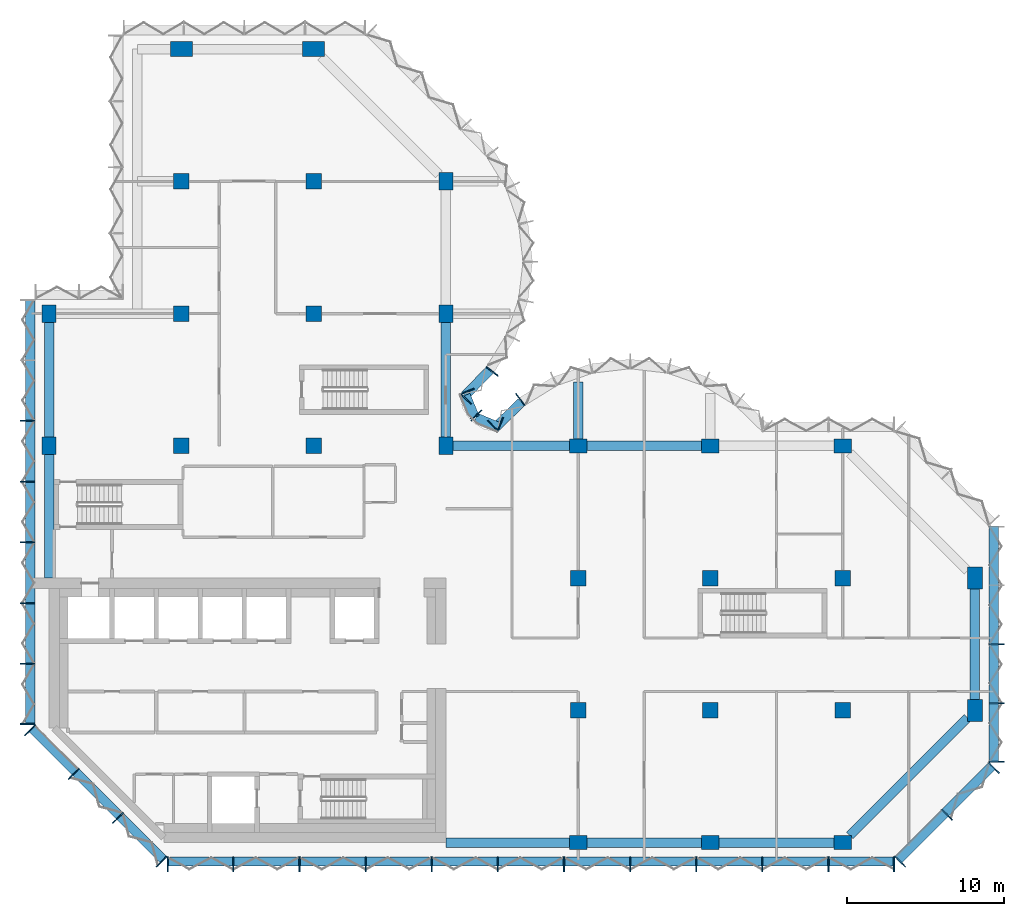
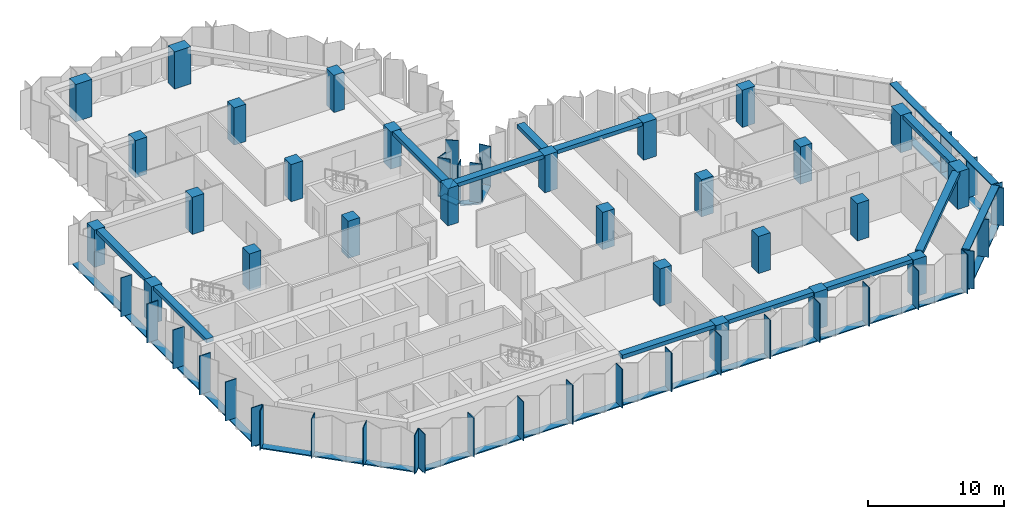
# One storey, part 1 of 10: 46 members, 27 columns, 11 beams, 8 elements without a shape of their own.
"""IFC4 building model written with IfcOpenShell, lengths in metres."""

from ifc_helpers import new_model, si_unit, direction, frame, origin, origin_2d, place, context, subcontext, project, spatial, rectangle, extrude, material, material_profile, profile_set, type_object, element, aggregate, save


model = new_model("IFC4")

# Units and contexts
model_context = context("Model", 3, precision=1e-05, world=origin(), true_north=direction((0.0, 1.0)))
body_context = subcontext(model_context, "Body", "Model", "MODEL_VIEW")
ifc_project = project(units=[si_unit("LENGTHUNIT", "METRE"), si_unit("AREAUNIT", "SQUARE_METRE"), si_unit("VOLUMEUNIT", "CUBIC_METRE"), si_unit("PLANEANGLEUNIT", "RADIAN"), si_unit("MASSUNIT", "GRAM", prefix="KILO")], contexts=[model_context])

# Site, building, storey
site_placement = place(None, origin())
site = spatial("IfcSite", under=ifc_project, at=site_placement, CompositionType="ELEMENT")
building_placement = place(site_placement, origin())
building = spatial("IfcBuilding", under=site, at=building_placement, Name="Brevane Broadcast Tower", CompositionType="ELEMENT")
storey_placement = place(building_placement, frame((0.0, 0.0, 181.199951171875)))
storey = spatial("IfcBuildingStorey", under=building, at=storey_placement, Name="L45", CompositionType="ELEMENT", Elevation=181.199951171875)

# Columns
ifc_material_1 = material(Name="Concrete C60/75", Category="concrete")
ifc_material_profile_1 = material_profile(ifc_material_1, rectangle(XDim=0.89990234375, YDim=1.10009765625, at=origin_2d()), Name="RC 900x1100")
ifc_profile_set_1 = profile_set([ifc_material_profile_1], Name="Concrete C60/75")
column_type_1 = type_object("IfcColumnType", Name="RC COLUMN EDGE 900x1100 C60/75", PredefinedType="COLUMN", material=ifc_profile_set_1)
for number, where, z_axis, x_axis, name in (
    (1, (0.0, 25.199951171875, 0.0), (0.0, 0.0, 1.0), (1.0, 0.0, 0.0), "CE11 1/D"),
    (2, (0.0, 33.60009765625, 0.0), (0.0, 0.0, 1.0), (1.0, 0.0, 0.0), "CE11 1/E"),
    (3, (25.199951171875, 25.199951171875, 0.0), (0.0, 0.0, 1.0), (1.0, 0.0, 0.0), "CE11 4/D"),
    (4, (25.199951171875, 33.60009765625, 0.0), (0.0, 0.0, 1.0), (1.0, 0.0, 0.0), "CE11 4/E"),
    (5, (25.199951171875, 42.0, 0.0), (0.0, 0.0, 1.0), (1.0, 0.0, 0.0), "CE11 4/F"),
    (6, (33.60009765625, 0.0, 0.0), (0.0, 0.0, 1.0), (0.0, 1.0, 0.0), "CE11 5/A"),
    (7, (33.60009765625, 25.199951171875, 0.0), (0.0, 0.0, 1.0), (0.0, 1.0, 0.0), "CE11 5/D"),
    (8, (42.0, 0.0, 0.0), (0.0, 0.0, 1.0), (0.0, 1.0, 0.0), "CE11 6/A"),
    (9, (42.0, 25.199951171875, 0.0), (0.0, 0.0, 1.0), (0.0, 1.0, 0.0), "CE11 6/D"),
    (10, (50.39990234375, 0.0, 0.0), (0.0, 0.0, 1.0), (0.0, 1.0, 0.0), "CE11 7/A"),
    (11, (50.39990234375, 25.199951171875, 0.0), (0.0, 0.0, 1.0), (0.0, 1.0, 0.0), "CE11 7/D"),
):
    element("IfcColumn", number, at=place(storey_placement, frame(where, z_axis=z_axis, x_axis=x_axis)), inside=storey, type_object=column_type_1, Name=name, PredefinedType="COLUMN", context=body_context, shape_type="SweptSolid", body=[
        extrude(rectangle(XDim=0.89990234375, YDim=1.10009765625, at=origin_2d()), origin(), (0.0, 0.0, 1.0), 3.35009765625),
    ])
ifc_material_profile_2 = material_profile(ifc_material_1, rectangle(XDim=1.0, YDim=1.0, at=origin_2d()), Name="RC 1000x1000")
ifc_profile_set_2 = profile_set([ifc_material_profile_2], Name="Concrete C60/75")
column_type_2 = type_object("IfcColumnType", Name="RC COLUMN INTERIOR 1000x1000 C60/75", PredefinedType="COLUMN", material=ifc_profile_set_2)
for number, where, z_axis, x_axis, name in (
    (12, (8.39990234375, 25.199951171875, 0.0), (0.0, 0.0, 1.0), (1.0, 0.0, 0.0), "CI12 2/D"),
    (13, (8.39990234375, 33.60009765625, 0.0), (0.0, 0.0, 1.0), (1.0, 0.0, 0.0), "CI12 2/E"),
    (14, (8.39990234375, 42.0, 0.0), (0.0, 0.0, 1.0), (1.0, 0.0, 0.0), "CI12 2/F"),
    (15, (16.800048828125, 25.199951171875, 0.0), (0.0, 0.0, 1.0), (1.0, 0.0, 0.0), "CI12 3/D"),
    (16, (16.800048828125, 33.60009765625, 0.0), (0.0, 0.0, 1.0), (1.0, 0.0, 0.0), "CI12 3/E"),
    (17, (16.800048828125, 42.0, 0.0), (0.0, 0.0, 1.0), (1.0, 0.0, 0.0), "CI12 3/F"),
    (18, (33.60009765625, 8.39990234375, 0.0), (0.0, 0.0, 1.0), (1.0, 0.0, 0.0), "CI12 5/B"),
    (19, (33.60009765625, 16.800048828125, 0.0), (0.0, 0.0, 1.0), (1.0, 0.0, 0.0), "CI12 5/C"),
    (20, (42.0, 8.39990234375, 0.0), (0.0, 0.0, 1.0), (1.0, 0.0, 0.0), "CI12 6/B"),
    (21, (42.0, 16.800048828125, 0.0), (0.0, 0.0, 1.0), (1.0, 0.0, 0.0), "CI12 6/C"),
    (22, (50.39990234375, 8.39990234375, 0.0), (0.0, 0.0, 1.0), (1.0, 0.0, 0.0), "CI12 7/B"),
    (23, (50.39990234375, 16.800048828125, 0.0), (0.0, 0.0, 1.0), (1.0, 0.0, 0.0), "CI12 7/C"),
):
    element("IfcColumn", number, at=place(storey_placement, frame(where, z_axis=z_axis, x_axis=x_axis)), inside=storey, type_object=column_type_2, Name=name, PredefinedType="COLUMN", context=body_context, shape_type="SweptSolid", body=[
        extrude(rectangle(XDim=1.0, YDim=1.0, at=origin_2d()), origin(), (0.0, 0.0, 1.0), 3.35009765625),
    ])
ifc_material_profile_3 = material_profile(ifc_material_1, rectangle(XDim=0.949951171875, YDim=1.39990234375, at=origin_2d()), Name="RC 950x1400")
ifc_profile_set_3 = profile_set([ifc_material_profile_3], Name="Concrete C60/75")
column_type_3 = type_object("IfcColumnType", Name="RC COLUMN WING-END 950x1400 C60/75", PredefinedType="COLUMN", material=ifc_profile_set_3)
for number, where, z_axis, x_axis, name in (
    (24, (8.39990234375, 50.39990234375, 0.0), (0.0, 0.0, 1.0), (0.0, 1.0, 0.0), "CW13 2/G"),
    (25, (16.800048828125, 50.39990234375, 0.0), (0.0, 0.0, 1.0), (0.0, 1.0, 0.0), "CW13 3/G"),
    (26, (58.800048828125, 8.39990234375, 0.0), (0.0, 0.0, 1.0), (1.0, 0.0, 0.0), "CW13 8/B"),
    (27, (58.800048828125, 16.800048828125, 0.0), (0.0, 0.0, 1.0), (1.0, 0.0, 0.0), "CW13 8/C"),
):
    element("IfcColumn", number, at=place(storey_placement, frame(where, z_axis=z_axis, x_axis=x_axis)), inside=storey, type_object=column_type_3, Name=name, PredefinedType="COLUMN", context=body_context, shape_type="SweptSolid", body=[
        extrude(rectangle(XDim=0.949951171875, YDim=1.39990234375, at=origin_2d()), origin(), (0.0, 0.0, 1.0), 3.35009765625),
    ])

# Curtain wall, members
ifc_material_2 = material(Name="Aluminium 6063-T6 bronze anodised", Category="aluminium")
curtain_wall_type = type_object("IfcCurtainWallType", Name="CW-1 curtain wall", PredefinedType="NOTDEFINED", material=ifc_material_2)
curtain_wall_1_placement = place(storey_placement, origin())
curtain_wall_1 = element("IfcCurtainWall", 28, at=curtain_wall_1_placement, inside=storey, type_object=curtain_wall_type, Name="CW-1 typical tilted unit L45 south face", PredefinedType="NOTDEFINED")
ifc_material_profile_4 = material_profile(ifc_material_2, rectangle(XDim=0.949951171875, YDim=0.070068359375, at=origin_2d()), Name="RECT 70x950")
ifc_profile_set_4 = profile_set([ifc_material_profile_4], Name="Aluminium 6063-T6 bronze anodised")
member_type_1 = type_object("IfcMemberType", Name="CW-1 mullion 70x950", PredefinedType="MULLION", material=ifc_profile_set_4)
member_1_placement = place(storey_placement, frame((7.534912109375, -1.375, -0.14990234375), z_axis=(0.0, 0.0, 1.0), x_axis=(0.0, 1.0, 0.0)))
member_1 = element("IfcMember", 29, at=member_1_placement, type_object=member_type_1, Name="CW-1 mullion", PredefinedType="MULLION", context=body_context, shape_type="SweptSolid", body=[
    extrude(rectangle(XDim=0.949951171875, YDim=0.070068359375, at=origin_2d()), origin(), (0.0, 0.0, 1.0), 3.5),
])
member_2_placement = place(storey_placement, frame((11.699951171875, -1.375, -0.14990234375), z_axis=(0.0, 0.0, 1.0), x_axis=(0.0, 1.0, 0.0)))
member_2 = element("IfcMember", 30, at=member_2_placement, type_object=member_type_1, Name="CW-1 mullion", PredefinedType="MULLION", context=body_context, shape_type="SweptSolid", body=[
    extrude(rectangle(XDim=0.949951171875, YDim=0.070068359375, at=origin_2d()), origin(), (0.0, 0.0, 1.0), 3.5),
])
member_3_placement = place(storey_placement, frame((15.89990234375, -1.375, -0.14990234375), z_axis=(0.0, 0.0, 1.0), x_axis=(0.0, 1.0, 0.0)))
member_3 = element("IfcMember", 31, at=member_3_placement, type_object=member_type_1, Name="CW-1 mullion", PredefinedType="MULLION", context=body_context, shape_type="SweptSolid", body=[
    extrude(rectangle(XDim=0.949951171875, YDim=0.070068359375, at=origin_2d()), origin(), (0.0, 0.0, 1.0), 3.5),
])
member_4_placement = place(storey_placement, frame((20.10009765625, -1.375, -0.14990234375), z_axis=(0.0, 0.0, 1.0), x_axis=(0.0, 1.0, 0.0)))
member_4 = element("IfcMember", 32, at=member_4_placement, type_object=member_type_1, Name="CW-1 mullion", PredefinedType="MULLION", context=body_context, shape_type="SweptSolid", body=[
    extrude(rectangle(XDim=0.949951171875, YDim=0.070068359375, at=origin_2d()), origin(), (0.0, 0.0, 1.0), 3.5),
])
member_5_placement = place(storey_placement, frame((24.300048828125, -1.375, -0.14990234375), z_axis=(0.0, 0.0, 1.0), x_axis=(0.0, 1.0, 0.0)))
member_5 = element("IfcMember", 33, at=member_5_placement, type_object=member_type_1, Name="CW-1 mullion", PredefinedType="MULLION", context=body_context, shape_type="SweptSolid", body=[
    extrude(rectangle(XDim=0.949951171875, YDim=0.070068359375, at=origin_2d()), origin(), (0.0, 0.0, 1.0), 3.5),
])
member_6_placement = place(storey_placement, frame((28.5, -1.375, -0.14990234375), z_axis=(0.0, 0.0, 1.0), x_axis=(0.0, 1.0, 0.0)))
member_6 = element("IfcMember", 34, at=member_6_placement, type_object=member_type_1, Name="CW-1 mullion", PredefinedType="MULLION", context=body_context, shape_type="SweptSolid", body=[
    extrude(rectangle(XDim=0.949951171875, YDim=0.070068359375, at=origin_2d()), origin(), (0.0, 0.0, 1.0), 3.5),
])
member_7_placement = place(storey_placement, frame((32.699951171875, -1.375, -0.14990234375), z_axis=(0.0, 0.0, 1.0), x_axis=(0.0, 1.0, 0.0)))
member_7 = element("IfcMember", 35, at=member_7_placement, type_object=member_type_1, Name="CW-1 mullion", PredefinedType="MULLION", context=body_context, shape_type="SweptSolid", body=[
    extrude(rectangle(XDim=0.949951171875, YDim=0.070068359375, at=origin_2d()), origin(), (0.0, 0.0, 1.0), 3.5),
])
member_8_placement = place(storey_placement, frame((36.89990234375, -1.375, -0.14990234375), z_axis=(0.0, 0.0, 1.0), x_axis=(0.0, 1.0, 0.0)))
member_8 = element("IfcMember", 36, at=member_8_placement, type_object=member_type_1, Name="CW-1 mullion", PredefinedType="MULLION", context=body_context, shape_type="SweptSolid", body=[
    extrude(rectangle(XDim=0.949951171875, YDim=0.070068359375, at=origin_2d()), origin(), (0.0, 0.0, 1.0), 3.5),
])
member_9_placement = place(storey_placement, frame((41.10009765625, -1.375, -0.14990234375), z_axis=(0.0, 0.0, 1.0), x_axis=(0.0, 1.0, 0.0)))
member_9 = element("IfcMember", 37, at=member_9_placement, type_object=member_type_1, Name="CW-1 mullion", PredefinedType="MULLION", context=body_context, shape_type="SweptSolid", body=[
    extrude(rectangle(XDim=0.949951171875, YDim=0.070068359375, at=origin_2d()), origin(), (0.0, 0.0, 1.0), 3.5),
])
member_10_placement = place(storey_placement, frame((45.300048828125, -1.375, -0.14990234375), z_axis=(0.0, 0.0, 1.0), x_axis=(0.0, 1.0, 0.0)))
member_10 = element("IfcMember", 38, at=member_10_placement, type_object=member_type_1, Name="CW-1 mullion", PredefinedType="MULLION", context=body_context, shape_type="SweptSolid", body=[
    extrude(rectangle(XDim=0.949951171875, YDim=0.070068359375, at=origin_2d()), origin(), (0.0, 0.0, 1.0), 3.5),
])
member_11_placement = place(storey_placement, frame((49.5, -1.375, -0.14990234375), z_axis=(0.0, 0.0, 1.0), x_axis=(0.0, 1.0, 0.0)))
member_11 = element("IfcMember", 39, at=member_11_placement, type_object=member_type_1, Name="CW-1 mullion", PredefinedType="MULLION", context=body_context, shape_type="SweptSolid", body=[
    extrude(rectangle(XDim=0.949951171875, YDim=0.070068359375, at=origin_2d()), origin(), (0.0, 0.0, 1.0), 3.5),
])
member_12_placement = place(storey_placement, frame((53.6650390625, -1.375, -0.14990234375), z_axis=(0.0, 0.0, 1.0), x_axis=(0.0, 1.0, 0.0)))
member_12 = element("IfcMember", 40, at=member_12_placement, type_object=member_type_1, Name="CW-1 mullion", PredefinedType="MULLION", context=body_context, shape_type="SweptSolid", body=[
    extrude(rectangle(XDim=0.949951171875, YDim=0.070068359375, at=origin_2d()), origin(), (0.0, 0.0, 1.0), 3.5),
])

curtain_wall_2_placement = place(storey_placement, origin())
curtain_wall_2 = element("IfcCurtainWall", 41, at=curtain_wall_2_placement, inside=storey, type_object=curtain_wall_type, Name="CW-1 typical tilted unit L45 south-east chamfer", PredefinedType="NOTDEFINED")
member_13_placement = place(storey_placement, frame((54.060546875, -1.211181640625, -0.14990234375), z_axis=(0.0, 0.0, 1.0), x_axis=(-0.707106781187, 0.707106781187, 0.0)))
member_13 = element("IfcMember", 42, at=member_13_placement, type_object=member_type_1, Name="CW-1 mullion", PredefinedType="MULLION", context=body_context, shape_type="SweptSolid", body=[
    extrude(rectangle(XDim=0.949951171875, YDim=0.070068359375, at=origin_2d()), origin(), (0.0, 0.0, 1.0), 3.39990234375),
])
member_14_placement = place(storey_placement, frame((57.035888671875, 1.76416015625, -0.14990234375), z_axis=(0.0, 0.0, 1.0), x_axis=(-0.707106781187, 0.707106781187, 0.0)))
member_14 = element("IfcMember", 43, at=member_14_placement, type_object=member_type_1, Name="CW-1 mullion", PredefinedType="MULLION", context=body_context, shape_type="SweptSolid", body=[
    extrude(rectangle(XDim=0.949951171875, YDim=0.070068359375, at=origin_2d()), origin(), (0.0, 0.0, 1.0), 3.39990234375),
])
member_15_placement = place(storey_placement, frame((60.01123046875, 4.7392578125, -0.14990234375), z_axis=(0.0, 0.0, 1.0), x_axis=(-0.707106781187, 0.707106781187, 0.0)))
member_15 = element("IfcMember", 44, at=member_15_placement, type_object=member_type_1, Name="CW-1 mullion", PredefinedType="MULLION", context=body_context, shape_type="SweptSolid", body=[
    extrude(rectangle(XDim=0.949951171875, YDim=0.070068359375, at=origin_2d()), origin(), (0.0, 0.0, 1.0), 3.39990234375),
])

curtain_wall_3_placement = place(storey_placement, origin())
curtain_wall_3 = element("IfcCurtainWall", 45, at=curtain_wall_3_placement, inside=storey, type_object=curtain_wall_type, Name="CW-1 typical tilted unit L45 east end", PredefinedType="NOTDEFINED")
member_16_placement = place(storey_placement, frame((60.175048828125, 5.135009765625, -0.14990234375), z_axis=(0.0, 0.0, 1.0), x_axis=(-1.0, 0.0, 0.0)))
member_16 = element("IfcMember", 46, at=member_16_placement, type_object=member_type_1, Name="CW-1 mullion", PredefinedType="MULLION", context=body_context, shape_type="SweptSolid", body=[
    extrude(rectangle(XDim=0.949951171875, YDim=0.070068359375, at=origin_2d()), origin(), (0.0, 0.0, 1.0), 3.39990234375),
])
member_17_placement = place(storey_placement, frame((60.175048828125, 8.85009765625, -0.14990234375), z_axis=(0.0, 0.0, 1.0), x_axis=(-1.0, 0.0, 0.0)))
member_17 = element("IfcMember", 47, at=member_17_placement, type_object=member_type_1, Name="CW-1 mullion", PredefinedType="MULLION", context=body_context, shape_type="SweptSolid", body=[
    extrude(rectangle(XDim=0.949951171875, YDim=0.070068359375, at=origin_2d()), origin(), (0.0, 0.0, 1.0), 3.39990234375),
])
member_18_placement = place(storey_placement, frame((60.175048828125, 12.60009765625, -0.14990234375), z_axis=(0.0, 0.0, 1.0), x_axis=(-1.0, 0.0, 0.0)))
member_18 = element("IfcMember", 48, at=member_18_placement, type_object=member_type_1, Name="CW-1 mullion", PredefinedType="MULLION", context=body_context, shape_type="SweptSolid", body=[
    extrude(rectangle(XDim=0.949951171875, YDim=0.070068359375, at=origin_2d()), origin(), (0.0, 0.0, 1.0), 3.39990234375),
])

curtain_wall_4_placement = place(storey_placement, origin())
curtain_wall_4 = element("IfcCurtainWall", 49, at=curtain_wall_4_placement, inside=storey, type_object=curtain_wall_type, Name="CW-1 typical tilted unit L45 east bow", PredefinedType="NOTDEFINED")
member_19_placement = place(storey_placement, frame((29.927978515625, 28.1455078125, -0.14990234375), z_axis=(0.0, 0.0, 1.0), x_axis=(0.614769698862, -0.788706673841, 0.0)))
member_19 = element("IfcMember", 50, at=member_19_placement, type_object=member_type_1, Name="CW-1 mullion", PredefinedType="MULLION", context=body_context, shape_type="SweptSolid", body=[
    extrude(rectangle(XDim=0.949951171875, YDim=0.070068359375, at=origin_2d()), origin(), (0.0, 0.0, 1.0), 3.5),
])
member_20_placement = place(storey_placement, frame((28.194091796875, 26.465087890625, -0.14990234375), z_axis=(0.0, 0.0, 1.0), x_axis=(0.696812089895, -0.717253728729, 0.0)))
member_20 = element("IfcMember", 51, at=member_20_placement, type_object=member_type_1, Name="CW-1 mullion", PredefinedType="MULLION", context=body_context, shape_type="SweptSolid", body=[
    extrude(rectangle(XDim=0.949951171875, YDim=0.070068359375, at=origin_2d()), origin(), (0.0, 0.0, 1.0), 3.5),
])

curtain_wall_5_placement = place(storey_placement, origin())
curtain_wall_5 = element("IfcCurtainWall", 52, at=curtain_wall_5_placement, inside=storey, type_object=curtain_wall_type, Name="CW-1 typical tilted unit L45 inner corner", PredefinedType="NOTDEFINED")
member_21_placement = place(storey_placement, frame((28.6494140625, 26.55224609375, -0.14990234375), z_axis=(0.0, 0.0, 1.0), x_axis=(-0.382683432365, -0.923879532511, 0.0)))
member_21 = element("IfcMember", 53, at=member_21_placement, type_object=member_type_1, Name="CW-1 mullion", PredefinedType="MULLION", context=body_context, shape_type="SweptSolid", body=[
    extrude(rectangle(XDim=0.949951171875, YDim=0.070068359375, at=origin_2d()), origin(), (0.0, 0.0, 1.0), 3.5),
])
member_22_placement = place(storey_placement, frame((27.138916015625, 27.138916015625, -0.14990234375), z_axis=(0.0, 0.0, 1.0), x_axis=(-0.707106781187, -0.707106781187, 0.0)))
member_22 = element("IfcMember", 54, at=member_22_placement, type_object=member_type_1, Name="CW-1 mullion", PredefinedType="MULLION", context=body_context, shape_type="SweptSolid", body=[
    extrude(rectangle(XDim=0.949951171875, YDim=0.070068359375, at=origin_2d()), origin(), (0.0, 0.0, 1.0), 3.5),
])
member_23_placement = place(storey_placement, frame((26.55224609375, 28.6494140625, -0.14990234375), z_axis=(0.0, 0.0, 1.0), x_axis=(-0.923879532511, -0.382683432365, 0.0)))
member_23 = element("IfcMember", 55, at=member_23_placement, type_object=member_type_1, Name="CW-1 mullion", PredefinedType="MULLION", context=body_context, shape_type="SweptSolid", body=[
    extrude(rectangle(XDim=0.949951171875, YDim=0.070068359375, at=origin_2d()), origin(), (0.0, 0.0, 1.0), 3.5),
])

curtain_wall_6_placement = place(storey_placement, origin())
curtain_wall_6 = element("IfcCurtainWall", 56, at=curtain_wall_6_placement, inside=storey, type_object=curtain_wall_type, Name="CW-1 typical tilted unit L45 north bow", PredefinedType="NOTDEFINED")
member_24_placement = place(storey_placement, frame((26.465087890625, 28.194091796875, -0.14990234375), z_axis=(0.0, 0.0, 1.0), x_axis=(-0.717253728729, 0.696812089895, 0.0)))
member_24 = element("IfcMember", 57, at=member_24_placement, type_object=member_type_1, Name="CW-1 mullion", PredefinedType="MULLION", context=body_context, shape_type="SweptSolid", body=[
    extrude(rectangle(XDim=0.949951171875, YDim=0.070068359375, at=origin_2d()), origin(), (0.0, 0.0, 1.0), 3.5),
])
member_25_placement = place(storey_placement, frame((28.1455078125, 29.927978515625, -0.14990234375), z_axis=(0.0, 0.0, 1.0), x_axis=(-0.788706673841, 0.614769698862, 0.0)))
member_25 = element("IfcMember", 58, at=member_25_placement, type_object=member_type_1, Name="CW-1 mullion", PredefinedType="MULLION", context=body_context, shape_type="SweptSolid", body=[
    extrude(rectangle(XDim=0.949951171875, YDim=0.070068359375, at=origin_2d()), origin(), (0.0, 0.0, 1.0), 3.5),
])

curtain_wall_7_placement = place(storey_placement, origin())
curtain_wall_7 = element("IfcCurtainWall", 59, at=curtain_wall_7_placement, inside=storey, type_object=curtain_wall_type, Name="CW-1 typical tilted unit L45 west face", PredefinedType="NOTDEFINED")
member_26_placement = place(storey_placement, frame((-1.375, 26.78564453125, -0.14990234375), z_axis=(0.0, 0.0, 1.0), x_axis=(1.0, 0.0, 0.0)))
member_26 = element("IfcMember", 60, at=member_26_placement, type_object=member_type_1, Name="CW-1 mullion", PredefinedType="MULLION", context=body_context, shape_type="SweptSolid", body=[
    extrude(rectangle(XDim=0.949951171875, YDim=0.070068359375, at=origin_2d()), origin(), (0.0, 0.0, 1.0), 3.5),
])
member_27_placement = place(storey_placement, frame((-1.375, 22.928466796875, -0.14990234375), z_axis=(0.0, 0.0, 1.0), x_axis=(1.0, 0.0, 0.0)))
member_27 = element("IfcMember", 61, at=member_27_placement, type_object=member_type_1, Name="CW-1 mullion", PredefinedType="MULLION", context=body_context, shape_type="SweptSolid", body=[
    extrude(rectangle(XDim=0.949951171875, YDim=0.070068359375, at=origin_2d()), origin(), (0.0, 0.0, 1.0), 3.5),
])
member_28_placement = place(storey_placement, frame((-1.375, 19.071533203125, -0.14990234375), z_axis=(0.0, 0.0, 1.0), x_axis=(1.0, 0.0, 0.0)))
member_28 = element("IfcMember", 62, at=member_28_placement, type_object=member_type_1, Name="CW-1 mullion", PredefinedType="MULLION", context=body_context, shape_type="SweptSolid", body=[
    extrude(rectangle(XDim=0.949951171875, YDim=0.070068359375, at=origin_2d()), origin(), (0.0, 0.0, 1.0), 3.5),
])
member_29_placement = place(storey_placement, frame((-1.375, 15.21435546875, -0.14990234375), z_axis=(0.0, 0.0, 1.0), x_axis=(1.0, 0.0, 0.0)))
member_29 = element("IfcMember", 63, at=member_29_placement, type_object=member_type_1, Name="CW-1 mullion", PredefinedType="MULLION", context=body_context, shape_type="SweptSolid", body=[
    extrude(rectangle(XDim=0.949951171875, YDim=0.070068359375, at=origin_2d()), origin(), (0.0, 0.0, 1.0), 3.5),
])
member_30_placement = place(storey_placement, frame((-1.375, 11.357177734375, -0.14990234375), z_axis=(0.0, 0.0, 1.0), x_axis=(1.0, 0.0, 0.0)))
member_30 = element("IfcMember", 64, at=member_30_placement, type_object=member_type_1, Name="CW-1 mullion", PredefinedType="MULLION", context=body_context, shape_type="SweptSolid", body=[
    extrude(rectangle(XDim=0.949951171875, YDim=0.070068359375, at=origin_2d()), origin(), (0.0, 0.0, 1.0), 3.5),
])
member_31_placement = place(storey_placement, frame((-1.375, 7.534912109375, -0.14990234375), z_axis=(0.0, 0.0, 1.0), x_axis=(1.0, 0.0, 0.0)))
member_31 = element("IfcMember", 65, at=member_31_placement, type_object=member_type_1, Name="CW-1 mullion", PredefinedType="MULLION", context=body_context, shape_type="SweptSolid", body=[
    extrude(rectangle(XDim=0.949951171875, YDim=0.070068359375, at=origin_2d()), origin(), (0.0, 0.0, 1.0), 3.5),
])

curtain_wall_8_placement = place(storey_placement, origin())
curtain_wall_8 = element("IfcCurtainWall", 66, at=curtain_wall_8_placement, inside=storey, type_object=curtain_wall_type, Name="CW-1 typical tilted unit L45 south-west chamfer", PredefinedType="NOTDEFINED")
member_32_placement = place(storey_placement, frame((-1.211181640625, 7.139404296875, -0.14990234375), z_axis=(0.0, 0.0, 1.0), x_axis=(0.707106781187, 0.707106781187, 0.0)))
member_32 = element("IfcMember", 67, at=member_32_placement, type_object=member_type_1, Name="CW-1 mullion", PredefinedType="MULLION", context=body_context, shape_type="SweptSolid", body=[
    extrude(rectangle(XDim=0.949951171875, YDim=0.070068359375, at=origin_2d()), origin(), (0.0, 0.0, 1.0), 3.5),
])
member_33_placement = place(storey_placement, frame((1.564208984375, 4.364013671875, -0.14990234375), z_axis=(0.0, 0.0, 1.0), x_axis=(0.707106781187, 0.707106781187, 0.0)))
member_33 = element("IfcMember", 68, at=member_33_placement, type_object=member_type_1, Name="CW-1 mullion", PredefinedType="MULLION", context=body_context, shape_type="SweptSolid", body=[
    extrude(rectangle(XDim=0.949951171875, YDim=0.070068359375, at=origin_2d()), origin(), (0.0, 0.0, 1.0), 3.5),
])
member_34_placement = place(storey_placement, frame((4.364013671875, 1.564208984375, -0.14990234375), z_axis=(0.0, 0.0, 1.0), x_axis=(0.707106781187, 0.707106781187, 0.0)))
member_34 = element("IfcMember", 69, at=member_34_placement, type_object=member_type_1, Name="CW-1 mullion", PredefinedType="MULLION", context=body_context, shape_type="SweptSolid", body=[
    extrude(rectangle(XDim=0.949951171875, YDim=0.070068359375, at=origin_2d()), origin(), (0.0, 0.0, 1.0), 3.5),
])
member_35_placement = place(storey_placement, frame((7.139404296875, -1.211181640625, -0.14990234375), z_axis=(0.0, 0.0, 1.0), x_axis=(0.707106781187, 0.707106781187, 0.0)))
member_35 = element("IfcMember", 70, at=member_35_placement, type_object=member_type_1, Name="CW-1 mullion", PredefinedType="MULLION", context=body_context, shape_type="SweptSolid", body=[
    extrude(rectangle(XDim=0.949951171875, YDim=0.070068359375, at=origin_2d()), origin(), (0.0, 0.0, 1.0), 3.5),
])

# Member
ifc_material_profile_5 = material_profile(ifc_material_2, rectangle(XDim=0.60009765625, YDim=0.10009765625, at=origin_2d()), Name="RECT 100x600")
ifc_profile_set_5 = profile_set([ifc_material_profile_5], Name="Aluminium 6063-T6 bronze anodised")
member_type_2 = type_object("IfcMemberType", Name="CW-1 transom 100x600", PredefinedType="USERDEFINED", material=ifc_profile_set_5)
member_36_placement = place(storey_placement, frame((7.5, -1.199951171875, -0.199951171875), z_axis=(1.0, 0.0, 0.0), x_axis=(0.0, 1.0, 0.0)))
member_36 = element("IfcMember", 71, at=member_36_placement, type_object=member_type_2, Name="CW-1 transom", ObjectType="TRANSOM", PredefinedType="USERDEFINED", context=body_context, shape_type="SweptSolid", body=[
    extrude(rectangle(XDim=0.60009765625, YDim=0.10009765625, at=origin_2d()), origin(), (0.0, 0.0, 1.0), 46.199951171875),
])

aggregate(curtain_wall_1, [member_1, member_2, member_3, member_4, member_5, member_6, member_7, member_8, member_9, member_10, member_11, member_12, member_36])

member_37_placement = place(storey_placement, frame((53.912109375, -1.112060546875, -0.199951171875), z_axis=(0.707106781187, 0.707106781187, 0.0), x_axis=(-0.707106781187, 0.707106781187, 0.0)))
member_37 = element("IfcMember", 72, at=member_37_placement, type_object=member_type_2, Name="CW-1 transom", ObjectType="TRANSOM", PredefinedType="USERDEFINED", context=body_context, shape_type="SweptSolid", body=[
    extrude(rectangle(XDim=0.60009765625, YDim=0.10009765625, at=origin_2d()), origin(), (0.0, 0.0, 1.0), 8.4853515625),
])

member_38_placement = place(storey_placement, frame((53.912109375, -1.112060546875, 3.300048828125), z_axis=(0.707106781187, 0.707106781187, 0.0), x_axis=(-0.707106781187, 0.707106781187, 0.0)))
member_38 = element("IfcMember", 73, at=member_38_placement, type_object=member_type_2, Name="CW-1 transom", ObjectType="TRANSOM", PredefinedType="USERDEFINED", context=body_context, shape_type="SweptSolid", body=[
    extrude(rectangle(XDim=0.60009765625, YDim=0.10009765625, at=origin_2d()), origin(), (0.0, 0.0, 1.0), 8.4853515625),
])

aggregate(curtain_wall_2, [member_13, member_14, member_15, member_37, member_38])

member_39_placement = place(storey_placement, frame((60.0, 5.10009765625, -0.199951171875), z_axis=(0.0, 1.0, 0.0), x_axis=(-1.0, 0.0, 0.0)))
member_39 = element("IfcMember", 74, at=member_39_placement, type_object=member_type_2, Name="CW-1 transom", ObjectType="TRANSOM", PredefinedType="USERDEFINED", context=body_context, shape_type="SweptSolid", body=[
    extrude(rectangle(XDim=0.60009765625, YDim=0.10009765625, at=origin_2d()), origin(), (0.0, 0.0, 1.0), 15.0),
])

member_40_placement = place(storey_placement, frame((60.0, 5.10009765625, 3.300048828125), z_axis=(0.0, 1.0, 0.0), x_axis=(-1.0, 0.0, 0.0)))
member_40 = element("IfcMember", 75, at=member_40_placement, type_object=member_type_2, Name="CW-1 transom", ObjectType="TRANSOM", PredefinedType="USERDEFINED", context=body_context, shape_type="SweptSolid", body=[
    extrude(rectangle(XDim=0.60009765625, YDim=0.10009765625, at=origin_2d()), origin(), (0.0, 0.0, 1.0), 15.0),
])

aggregate(curtain_wall_3, [member_16, member_17, member_18, member_39, member_40])

member_41_placement = place(storey_placement, frame((29.99951171875, 27.974365234375, -0.199951171875), z_axis=(-0.71724215871, -0.696823999134, 0.0), x_axis=(0.696823999134, -0.71724215871, 0.0)))
member_41 = element("IfcMember", 76, at=member_41_placement, type_object=member_type_2, Name="CW-1 transom", ObjectType="TRANSOM", PredefinedType="USERDEFINED", context=body_context, shape_type="SweptSolid", body=[
    extrude(rectangle(XDim=0.60009765625, YDim=0.10009765625, at=origin_2d()), origin(), (0.0, 0.0, 1.0), 2.247802734375),
])

aggregate(curtain_wall_4, [member_19, member_20, member_41])

member_42_placement = place(storey_placement, frame((28.528076171875, 26.40673828125, -0.199951171875), z_axis=(-0.923883243627, 0.382674472816, 0.0), x_axis=(-0.382674472816, -0.923883243627, 0.0)))
member_42 = element("IfcMember", 77, at=member_42_placement, type_object=member_type_2, Name="CW-1 transom", ObjectType="TRANSOM", PredefinedType="USERDEFINED", context=body_context, shape_type="SweptSolid", body=[
    extrude(rectangle(XDim=0.60009765625, YDim=0.10009765625, at=origin_2d()), origin(), (0.0, 0.0, 1.0), 1.536865234375),
])

member_43_placement = place(storey_placement, frame((27.039794921875, 27.0, -0.199951171875), z_axis=(-0.382674472816, 0.923883243627, 0.0), x_axis=(-0.923883243627, -0.382674472816, 0.0)))
member_43 = element("IfcMember", 78, at=member_43_placement, type_object=member_type_2, Name="CW-1 transom", ObjectType="TRANSOM", PredefinedType="USERDEFINED", context=body_context, shape_type="SweptSolid", body=[
    extrude(rectangle(XDim=0.60009765625, YDim=0.10009765625, at=origin_2d()), origin(), (0.0, 0.0, 1.0), 1.536865234375),
])

aggregate(curtain_wall_5, [member_21, member_22, member_23, member_42, member_43])

member_44_placement = place(storey_placement, frame((26.407958984375, 28.38720703125, -0.199951171875), z_axis=(0.696823999134, 0.71724215871, 0.0), x_axis=(-0.71724215871, 0.696823999134, 0.0)))
member_44 = element("IfcMember", 79, at=member_44_placement, type_object=member_type_2, Name="CW-1 transom", ObjectType="TRANSOM", PredefinedType="USERDEFINED", context=body_context, shape_type="SweptSolid", body=[
    extrude(rectangle(XDim=0.60009765625, YDim=0.10009765625, at=origin_2d()), origin(), (0.0, 0.0, 1.0), 2.247802734375),
])

aggregate(curtain_wall_6, [member_24, member_25, member_44])

member_45_placement = place(storey_placement, frame((-1.199951171875, 34.5, -0.199951171875), z_axis=(0.0, -1.0, 0.0), x_axis=(1.0, 0.0, 0.0)))
member_45 = element("IfcMember", 80, at=member_45_placement, type_object=member_type_2, Name="CW-1 transom", ObjectType="TRANSOM", PredefinedType="USERDEFINED", context=body_context, shape_type="SweptSolid", body=[
    extrude(rectangle(XDim=0.60009765625, YDim=0.10009765625, at=origin_2d()), origin(), (0.0, 0.0, 1.0), 27.0),
])

aggregate(curtain_wall_7, [member_26, member_27, member_28, member_29, member_30, member_31, member_45])

member_46_placement = place(storey_placement, frame((-1.112060546875, 7.287841796875, -0.199951171875), z_axis=(0.707106781187, -0.707106781187, 0.0), x_axis=(0.707106781187, 0.707106781187, 0.0)))
member_46 = element("IfcMember", 81, at=member_46_placement, type_object=member_type_2, Name="CW-1 transom", ObjectType="TRANSOM", PredefinedType="USERDEFINED", context=body_context, shape_type="SweptSolid", body=[
    extrude(rectangle(XDim=0.60009765625, YDim=0.10009765625, at=origin_2d()), origin(), (0.0, 0.0, 1.0), 11.879150390625),
])

aggregate(curtain_wall_8, [member_32, member_33, member_34, member_35, member_46])

# Beams
ifc_material_3 = material(Name="Concrete C40/50", Category="concrete")
ifc_material_profile_6 = material_profile(ifc_material_3, rectangle(XDim=0.60009765625, YDim=0.35009765625, at=origin_2d()), Name="RC 600x350")
ifc_profile_set_6 = profile_set([ifc_material_profile_6], Name="Concrete C40/50")
beam_type_1 = type_object("IfcBeamType", Name="RC BRACKET BEAM 600x350 C40/50", PredefinedType="BEAM", material=ifc_profile_set_6)
beam_1_placement = place(storey_placement, frame((33.60009765625, 25.64990234375, 3.175048828125), z_axis=(0.0, 1.0, 0.0), x_axis=(-1.0, 0.0, 0.0)))
element("IfcBeam", 82, at=beam_1_placement, inside=storey, type_object=beam_type_1, Name="EB2 L45-3", PredefinedType="BEAM", context=body_context, shape_type="SweptSolid", body=[
    extrude(rectangle(XDim=0.60009765625, YDim=0.35009765625, at=origin_2d()), origin(), (0.0, 0.0, 1.0), 3.612060546875),
])
ifc_material_profile_7 = material_profile(ifc_material_3, rectangle(XDim=0.60009765625, YDim=0.35009765625, at=origin_2d()), Name="RC 600x350")
ifc_profile_set_7 = profile_set([ifc_material_profile_7], Name="Concrete C40/50")
beam_type_2 = type_object("IfcBeamType", Name="RC SPANDREL BEAM 600x350 C40/50", PredefinedType="SPANDREL", material=ifc_profile_set_7)
beam_2_placement = place(storey_placement, frame((25.199951171875, 0.0, 3.175048828125), z_axis=(1.0, 0.0, 0.0), x_axis=(0.0, 1.0, 0.0)))
element("IfcBeam", 83, at=beam_2_placement, inside=storey, type_object=beam_type_2, Name="EB1 L45-1", PredefinedType="SPANDREL", context=body_context, shape_type="SweptSolid", body=[
    extrude(rectangle(XDim=0.60009765625, YDim=0.35009765625, at=origin_2d()), origin(), (0.0, 0.0, 1.0), 7.85009765625),
])
for number, where, z_axis, x_axis, name in (
    (84, (34.14990234375, 0.0, 3.175048828125), (1.0, 0.0, 0.0), (0.0, 1.0, 0.0), "EB1 L45-2"),
    (85, (42.550048828125, 0.0, 3.175048828125), (1.0, 0.0, 0.0), (0.0, 1.0, 0.0), "EB1 L45-3"),
):
    element("IfcBeam", number, at=place(storey_placement, frame(where, z_axis=z_axis, x_axis=x_axis)), inside=storey, type_object=beam_type_2, Name=name, PredefinedType="SPANDREL", context=body_context, shape_type="SweptSolid", body=[
        extrude(rectangle(XDim=0.60009765625, YDim=0.35009765625, at=origin_2d()), origin(), (0.0, 0.0, 1.0), 7.300048828125),
    ])
beam_3_placement = place(storey_placement, frame((50.85009765625, 0.449951171875, 3.175048828125), z_axis=(0.707095233664, 0.707118328521, 0.0), x_axis=(-0.707118328521, 0.707095233664, 0.0)))
element("IfcBeam", 86, at=beam_3_placement, inside=storey, type_object=beam_type_2, Name="EB1 L45-4", PredefinedType="SPANDREL", context=body_context, shape_type="SweptSolid", body=[
    extrude(rectangle(XDim=0.60009765625, YDim=0.35009765625, at=origin_2d()), origin(), (0.0, 0.0, 1.0), 10.5712890625),
])
beam_4_placement = place(storey_placement, frame((58.800048828125, 9.10009765625, 3.175048828125), z_axis=(0.0, 1.0, 0.0), x_axis=(-1.0, 0.0, 0.0)))
element("IfcBeam", 87, at=beam_4_placement, inside=storey, type_object=beam_type_2, Name="EB1 L45-5", PredefinedType="SPANDREL", context=body_context, shape_type="SweptSolid", body=[
    extrude(rectangle(XDim=0.60009765625, YDim=0.35009765625, at=origin_2d()), origin(), (0.0, 0.0, 1.0), 7.0),
])
beam_5_placement = place(storey_placement, frame((41.449951171875, 25.199951171875, 3.175048828125), z_axis=(-1.0, 0.0, 0.0), x_axis=(0.0, -1.0, 0.0)))
element("IfcBeam", 88, at=beam_5_placement, inside=storey, type_object=beam_type_2, Name="EB1 L45-8", PredefinedType="SPANDREL", context=body_context, shape_type="SweptSolid", body=[
    extrude(rectangle(XDim=0.60009765625, YDim=0.35009765625, at=origin_2d()), origin(), (0.0, 0.0, 1.0), 7.300048828125),
])
beam_6_placement = place(storey_placement, frame((33.050048828125, 25.199951171875, 3.175048828125), z_axis=(-1.0, 0.0, 0.0), x_axis=(0.0, -1.0, 0.0)))
element("IfcBeam", 89, at=beam_6_placement, inside=storey, type_object=beam_type_2, Name="EB1 L45-9", PredefinedType="SPANDREL", context=body_context, shape_type="SweptSolid", body=[
    extrude(rectangle(XDim=0.60009765625, YDim=0.35009765625, at=origin_2d()), origin(), (0.0, 0.0, 1.0), 7.400146484375),
])
for number, where, z_axis, x_axis, name in (
    (90, (25.199951171875, 25.75, 3.175048828125), (0.0, 1.0, 0.0), (-1.0, 0.0, 0.0), "EB1 L45-10"),
    (91, (0.0, 33.050048828125, 3.175048828125), (0.0, -1.0, 0.0), (1.0, 0.0, 0.0), "EB1 L45-14"),
):
    element("IfcBeam", number, at=place(storey_placement, frame(where, z_axis=z_axis, x_axis=x_axis)), inside=storey, type_object=beam_type_2, Name=name, PredefinedType="SPANDREL", context=body_context, shape_type="SweptSolid", body=[
        extrude(rectangle(XDim=0.60009765625, YDim=0.35009765625, at=origin_2d()), origin(), (0.0, 0.0, 1.0), 7.300048828125),
    ])
beam_7_placement = place(storey_placement, frame((0.0, 24.64990234375, 3.175048828125), z_axis=(0.0, -1.0, 0.0), x_axis=(1.0, 0.0, 0.0)))
element("IfcBeam", 92, at=beam_7_placement, inside=storey, type_object=beam_type_2, Name="EB1 L45-15", PredefinedType="SPANDREL", context=body_context, shape_type="SweptSolid", body=[
    extrude(rectangle(XDim=0.60009765625, YDim=0.35009765625, at=origin_2d()), origin(), (0.0, 0.0, 1.0), 7.849853515625),
])

save(model, "model.ifc")
